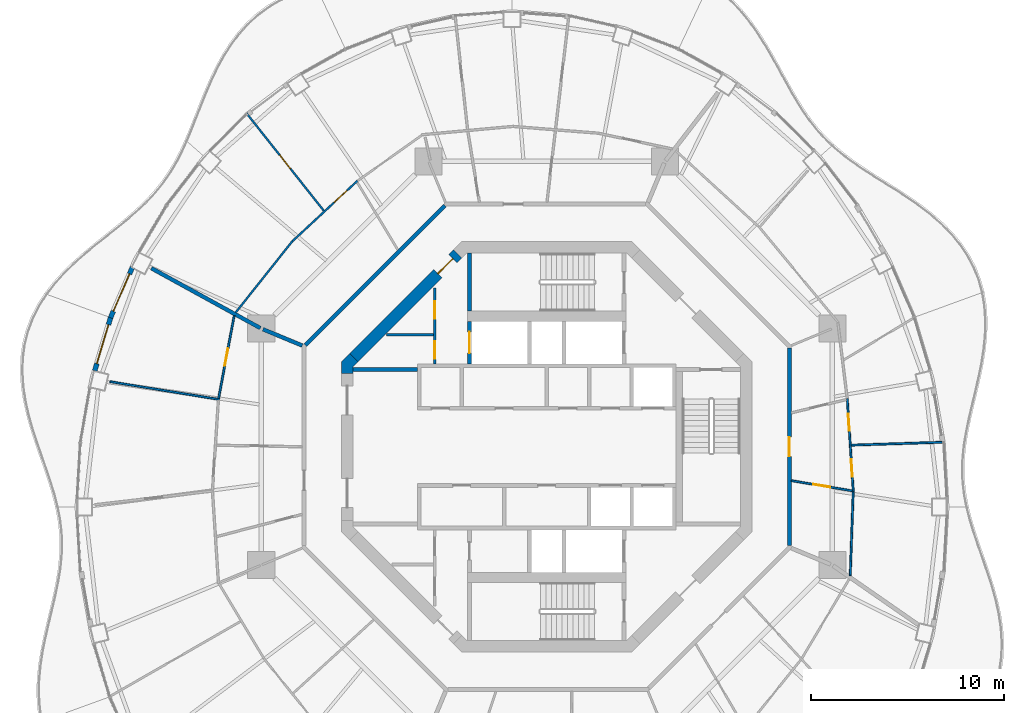
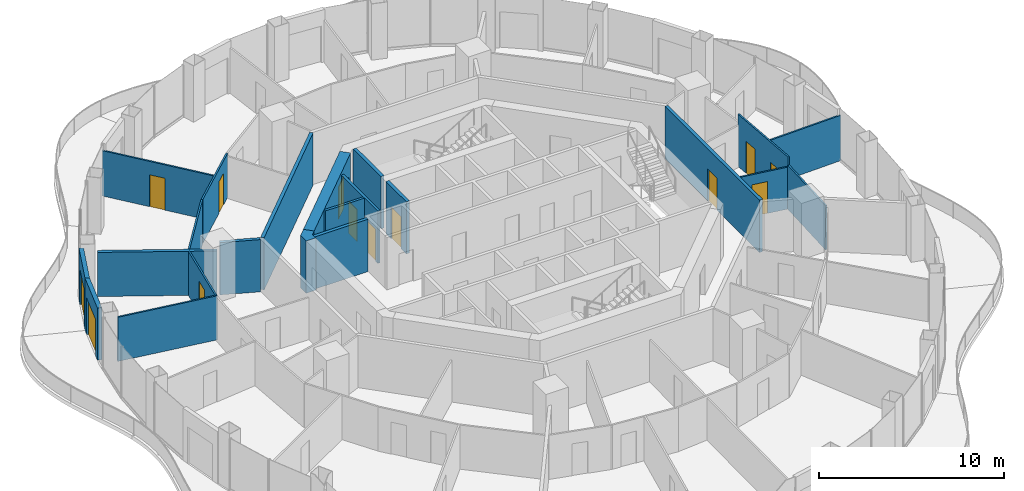
# One storey, part 12 of 17: 22 walls, 13 doors, 13 openings.
"""IFC4 building model written with IfcOpenShell, lengths in metres."""

from ifc_helpers import new_model, si_unit, direction, frame, frame_2d, origin, place, context, subcontext, project, spatial, polyline, rectangle, outline, extrude, material, layer, layer_set, type_object, element, fill, save


model = new_model("IFC4")

# Units and contexts
model_context = context("Model", 3, precision=1e-05, world=origin(), true_north=direction((0.0, 1.0)))
body_context = subcontext(model_context, "Body", "Model", "MODEL_VIEW")
ifc_project = project(units=[si_unit("LENGTHUNIT", "METRE"), si_unit("AREAUNIT", "SQUARE_METRE"), si_unit("VOLUMEUNIT", "CUBIC_METRE"), si_unit("PLANEANGLEUNIT", "RADIAN"), si_unit("MASSUNIT", "GRAM", prefix="KILO")], contexts=[model_context])

# Site, building, storey
site_placement = place(None, origin())
site = spatial("IfcSite", under=ifc_project, at=site_placement, CompositionType="ELEMENT")
building_placement = place(site_placement, origin())
building = spatial("IfcBuilding", under=site, at=building_placement, Name="Nagisa Residences", CompositionType="ELEMENT")
storey_placement = place(building_placement, frame((0.0, 0.0, 265.89990234375)))
storey = spatial("IfcBuildingStorey", under=building, at=storey_placement, Name="L67", CompositionType="ELEMENT", Elevation=265.89990234375)

# Walls
ifc_material_1 = material(Name="Gypsum board on steel studs", Category="steel")
ifc_layer_1 = layer(ifc_material_1, 0.199951171875)
ifc_layer_set_1 = layer_set([ifc_layer_1], Name="Apartment compartment wall EI60 200")
wall_type_1 = type_object("IfcWallType", Name="Apartment compartment wall EI60 200", PredefinedType="PARTITIONING", material=ifc_layer_set_1)
wall_1_placement = place(storey_placement, frame((-12.6572265625, 5.24267578125, 0.0), z_axis=(0.0, 0.0, 1.0), x_axis=(-0.923869415315, 0.382707856524, 0.0)))
element("IfcWall", 1, at=wall_1_placement, inside=storey, type_object=wall_type_1, Name="wall:L67:u02", PredefinedType="PARTITIONING", context=body_context, shape_type="SweptSolid", body=[
    extrude(rectangle(XDim=2.2001953125, YDim=0.199951171875, at=frame_2d((1.10009765625, 0.0))), origin(), (0.0, 0.0, 1.0), 3.440185546875),
])
wall_2_placement = place(storey_placement, frame((-14.825927734375, 6.14697265625, 0.0), z_axis=(0.0, 0.0, 1.0), x_axis=(-0.876484755865, 0.481429613481, 0.0)))
element("IfcWall", 2, at=wall_2_placement, inside=storey, type_object=wall_type_1, Name="wall:L67:u03", PredefinedType="PARTITIONING", context=body_context, shape_type="SweptSolid", body=[
    extrude(rectangle(XDim=6.43896484375, YDim=0.199951171875, at=frame_2d((3.219482421875, 0.0))), origin(), (0.0, 0.0, 1.0), 2.905029296875),
])

# Wall, opening, door
ifc_material_2 = material(Name="Gypsum board on steel studs", Category="steel")
ifc_layer_2 = layer(ifc_material_2, 0.199951171875)
ifc_layer_set_2 = layer_set([ifc_layer_2], Name="Apartment entry wall EI60 200")
wall_type_2 = type_object("IfcWallType", Name="Apartment entry wall EI60 200", PredefinedType="PARTITIONING", material=ifc_layer_set_2)
wall_3_placement = place(storey_placement, frame((12.564697265625, -5.1044921875, 0.0), z_axis=(0.0, 0.0, 1.0), x_axis=(0.0, 1.0, 0.0)))
wall_3 = element("IfcWall", 3, at=wall_3_placement, inside=storey, type_object=wall_type_2, Name="wall:L67:u08", PredefinedType="PARTITIONING", context=body_context, shape_type="SweptSolid", body=[
    extrude(rectangle(XDim=10.208984375, YDim=0.199951171875, at=frame_2d((5.1044921875, 0.0))), origin(), (0.0, 0.0, 1.0), 3.440185546875),
])
opening_1_placement = place(wall_3_placement, frame((4.6044921875, 0.0, 0.0)))
opening_1 = element("IfcOpeningElement", 4, at=opening_1_placement, cuts=wall_3, Name="Opening L67-U01", PredefinedType="OPENING", context=body_context, shape_type="SweptSolid", body=[
    extrude(rectangle(XDim=1.0, YDim=2.10009765625, at=frame_2d((0.5, 1.050048828125))), frame((0.0, 0.10986328125, 0.0), z_axis=(0.0, -1.0, 0.0), x_axis=(1.0, 0.0, 0.0)), (0.0, 0.0, 1.0), 0.219970703125),
])
ifc_material_3 = material(Name="Timber fire door set", Category="wood")
door_type_1 = type_object("IfcDoorType", Name="Apartment entry door FD30S 1000x2100", OperationType="NOTDEFINED", PredefinedType="DOOR", material=ifc_material_3)
door_1_placement = place(opening_1_placement, frame((1.0, 0.0, 0.0), x_axis=(-1.0, 0.0, 0.0)))
door_1 = element("IfcDoor", 5, at=door_1_placement, inside=storey, type_object=door_type_1, Name="Entry door, Apartment 67A", OperationType="SINGLE_SWING_RIGHT", OverallHeight=2.10009765625, OverallWidth=1.0, PredefinedType="DOOR", context=body_context, shape_type="SweptSolid", body=[
    extrude(rectangle(XDim=1.0, YDim=2.10009765625, at=frame_2d((0.5, 1.050048828125))), frame((0.0, 0.02490234375, 0.0), z_axis=(0.0, -1.0, 0.0), x_axis=(1.0, 0.0, 0.0)), (0.0, 0.0, 1.0), 0.050048828125),
])
fill(opening_1, door_1)

# Wall
wall_4_placement = place(storey_placement, frame((-5.275146484375, 12.494140625, 0.0), z_axis=(0.0, 0.0, 1.0), x_axis=(-0.707106781187, -0.707106781187, 0.0)))
element("IfcWall", 6, at=wall_4_placement, inside=storey, type_object=wall_type_2, Name="wall:L67:u11", PredefinedType="PARTITIONING", context=body_context, shape_type="SweptSolid", body=[
    extrude(rectangle(XDim=10.209228515625, YDim=0.199951171875, at=frame_2d((5.1044921875, 0.0))), origin(), (0.0, 0.0, 1.0), 3.440185546875),
])

# Wall, opening, door
ifc_material_4 = material(Name="Gypsum board on steel studs", Category="steel")
ifc_layer_3 = layer(ifc_material_4, 0.10009765625)
ifc_layer_set_3 = layer_set([ifc_layer_3], Name="Apartment partition 100")
wall_type_3 = type_object("IfcWallType", Name="Apartment partition 100", PredefinedType="PARTITIONING", material=ifc_layer_set_3)
wall_5_placement = place(storey_placement, frame((12.663330078125, -1.75146484375, 0.0), z_axis=(0.0, 0.0, 1.0), x_axis=(0.98626156497, -0.165191178529, 0.0)))
wall_5 = element("IfcWall", 7, at=wall_5_placement, inside=storey, type_object=wall_type_3, Name="wall:L67:u16", PredefinedType="PARTITIONING", context=body_context, shape_type="SweptSolid", body=[
    extrude(rectangle(XDim=3.1982421875, YDim=0.10009765625, at=frame_2d((1.59912109375, 0.0))), origin(), (0.0, 0.0, 1.0), 2.76220703125),
])
opening_2_placement = place(wall_5_placement, frame((1.149169921875, 0.0, 0.0)))
opening_2 = element("IfcOpeningElement", 8, at=opening_2_placement, cuts=wall_5, Name="Opening L67-U02", PredefinedType="OPENING", context=body_context, shape_type="SweptSolid", body=[
    extrude(rectangle(XDim=0.89990234375, YDim=2.10009765625, at=frame_2d((0.449951171875, 1.050048828125))), frame((0.0, 0.06005859375, 0.0), z_axis=(0.0, -1.0, 0.0), x_axis=(1.0, 0.0, 0.0)), (0.0, 0.0, 1.0), 0.1201171875),
])
ifc_material_5 = material(Name="Timber door set", Category="wood")
door_type_2 = type_object("IfcDoorType", Name="Apartment door 900x2100", OperationType="NOTDEFINED", PredefinedType="DOOR", material=ifc_material_5)
door_2_placement = place(opening_2_placement, frame((0.89990234375, 0.0, 0.0), x_axis=(-1.0, 0.0, 0.0)))
door_2 = element("IfcDoor", 9, at=door_2_placement, inside=storey, type_object=door_type_2, Name="Door to store, Apartment 67A", OperationType="SINGLE_SWING_LEFT", OverallHeight=2.10009765625, OverallWidth=0.89990234375, PredefinedType="DOOR", context=body_context, shape_type="SweptSolid", body=[
    extrude(rectangle(XDim=0.89990234375, YDim=2.10009765625, at=frame_2d((0.449951171875, 1.050048828125))), frame((0.0, 0.02490234375, 0.0), z_axis=(0.0, -1.0, 0.0), x_axis=(1.0, 0.0, 0.0)), (0.0, 0.0, 1.0), 0.050048828125),
])
fill(opening_2, door_2)

# Wall, openings, doors
wall_6_placement = place(storey_placement, frame((15.8701171875, -2.337890625, 0.0), z_axis=(0.0, 0.0, 1.0), x_axis=(-0.064797294757, 0.997898447034, 0.0)))
wall_6 = element("IfcWall", 10, at=wall_6_placement, inside=storey, type_object=wall_type_3, Name="wall:L67:u17", PredefinedType="PARTITIONING", context=body_context, shape_type="SweptSolid", body=[
    extrude(rectangle(XDim=4.856689453125, YDim=0.10009765625, at=frame_2d((2.42822265625, 0.0))), origin(), (0.0, 0.0, 1.0), 3.440185546875),
])
opening_3_placement = place(wall_6_placement, frame((0.789306640625, 0.0, 0.0)))
opening_3 = element("IfcOpeningElement", 11, at=opening_3_placement, cuts=wall_6, Name="Opening L67-U04", PredefinedType="OPENING", context=body_context, shape_type="SweptSolid", body=[
    extrude(rectangle(XDim=0.89990234375, YDim=2.10009765625, at=frame_2d((0.449951171875, 1.050048828125))), frame((0.0, 0.06005859375, 0.0), z_axis=(0.0, -1.0, 0.0), x_axis=(1.0, 0.0, 0.0)), (0.0, 0.0, 1.0), 0.1201171875),
])
opening_4_placement = place(wall_6_placement, frame((3.16748046875, 0.0, 0.0)))
opening_4 = element("IfcOpeningElement", 12, at=opening_4_placement, cuts=wall_6, Name="Opening L67-U05", PredefinedType="OPENING", context=body_context, shape_type="SweptSolid", body=[
    extrude(rectangle(XDim=0.89990234375, YDim=2.10009765625, at=frame_2d((0.449951171875, 1.050048828125))), frame((0.0, 0.06005859375, 0.0), z_axis=(0.0, -1.0, 0.0), x_axis=(1.0, 0.0, 0.0)), (0.0, 0.0, 1.0), 0.1201171875),
])
door_3_placement = place(opening_3_placement, frame((0.89990234375, 0.0, 0.0), x_axis=(-1.0, 0.0, 0.0)))
door_3 = element("IfcDoor", 13, at=door_3_placement, inside=storey, type_object=door_type_2, Name="Door to master bedroom, Apartment 67A", OperationType="SINGLE_SWING_LEFT", OverallHeight=2.10009765625, OverallWidth=0.89990234375, PredefinedType="DOOR", context=body_context, shape_type="SweptSolid", body=[
    extrude(rectangle(XDim=0.89990234375, YDim=2.10009765625, at=frame_2d((0.449951171875, 1.050048828125))), frame((0.0, 0.02490234375, 0.0), z_axis=(0.0, -1.0, 0.0), x_axis=(1.0, 0.0, 0.0)), (0.0, 0.0, 1.0), 0.050048828125),
])
fill(opening_3, door_3)
door_4_placement = place(opening_4_placement, frame((0.89990234375, 0.0, 0.0), x_axis=(-1.0, 0.0, 0.0)))
door_4 = element("IfcDoor", 14, at=door_4_placement, inside=storey, type_object=door_type_2, Name="Door to bedroom, Apartment 67A", OperationType="SINGLE_SWING_RIGHT", OverallHeight=2.10009765625, OverallWidth=0.89990234375, PredefinedType="DOOR", context=body_context, shape_type="SweptSolid", body=[
    extrude(rectangle(XDim=0.89990234375, YDim=2.10009765625, at=frame_2d((0.449951171875, 1.050048828125))), frame((0.0, 0.02490234375, 0.0), z_axis=(0.0, -1.0, 0.0), x_axis=(1.0, 0.0, 0.0)), (0.0, 0.0, 1.0), 0.050048828125),
])
fill(opening_4, door_4)

# Walls
wall_7_placement = place(storey_placement, frame((15.864990234375, -2.337890625, 0.0), z_axis=(0.0, 0.0, 1.0), x_axis=(-0.035864509465, -0.999356661538, 0.0)))
element("IfcWall", 15, at=wall_7_placement, inside=storey, type_object=wall_type_3, Name="wall:L67:u18", PredefinedType="PARTITIONING", context=body_context, shape_type="SweptSolid", body=[
    extrude(rectangle(XDim=4.329345703125, YDim=0.10009765625, at=frame_2d((2.16455078125, 0.0))), origin(), (0.0, 0.0, 1.0), 2.905029296875),
])
wall_8_placement = place(storey_placement, frame((15.7626953125, 0.0869140625, 0.0), z_axis=(0.0, 0.0, 1.0), x_axis=(0.999492034598, 0.03186962151, 0.0)))
element("IfcWall", 16, at=wall_8_placement, inside=storey, type_object=wall_type_3, Name="wall:L67:u19", PredefinedType="PARTITIONING", context=body_context, shape_type="SweptSolid", body=[
    extrude(rectangle(XDim=4.826171875, YDim=0.10009765625, at=frame_2d((2.4130859375, 0.0))), origin(), (0.0, 0.0, 1.0), 2.983154296875),
])

# Wall, opening, door
wall_9_placement = place(storey_placement, frame((-9.802001953125, 13.770263671875, 0.0), z_axis=(0.0, 0.0, 1.0), x_axis=(-0.732662099478, -0.680592571212, 0.0)))
wall_9 = element("IfcWall", 17, at=wall_9_placement, inside=storey, type_object=wall_type_3, Name="wall:L67:u36", PredefinedType="PARTITIONING", context=body_context, shape_type="SweptSolid", body=[
    extrude(rectangle(XDim=4.56689453125, YDim=0.10009765625, at=frame_2d((2.283447265625, 0.0))), origin(), (0.0, 0.0, 1.0), 2.905029296875),
])
opening_5_placement = place(wall_9_placement, frame((0.74169921875, 0.0, 0.0)))
opening_5 = element("IfcOpeningElement", 18, at=opening_5_placement, cuts=wall_9, Name="Opening L67-U17", PredefinedType="OPENING", context=body_context, shape_type="SweptSolid", body=[
    extrude(rectangle(XDim=0.89990234375, YDim=2.10009765625, at=frame_2d((0.449951171875, 1.050048828125))), frame((0.0, 0.06005859375, 0.0), z_axis=(0.0, -1.0, 0.0), x_axis=(1.0, 0.0, 0.0)), (0.0, 0.0, 1.0), 0.1201171875),
])
door_5_placement = place(opening_5_placement, origin())
door_5 = element("IfcDoor", 19, at=door_5_placement, inside=storey, type_object=door_type_2, Name="Door to laundry, Apartment 67B", OperationType="SINGLE_SWING_LEFT", OverallHeight=2.10009765625, OverallWidth=0.89990234375, PredefinedType="DOOR", context=body_context, shape_type="SweptSolid", body=[
    extrude(rectangle(XDim=0.89990234375, YDim=2.10009765625, at=frame_2d((0.449951171875, 1.050048828125))), frame((0.0, 0.02490234375, 0.0), z_axis=(0.0, -1.0, 0.0), x_axis=(1.0, 0.0, 0.0)), (0.0, 0.0, 1.0), 0.050048828125),
])
fill(opening_5, door_5)

wall_10_placement = place(storey_placement, frame((-11.542724609375, 12.221435546875, 0.0), z_axis=(0.0, 0.0, 1.0), x_axis=(-0.621117202271, 0.783717692185, 0.0)))
wall_10 = element("IfcWall", 20, at=wall_10_placement, inside=storey, type_object=wall_type_3, Name="wall:L67:u37", PredefinedType="PARTITIONING", context=body_context, shape_type="SweptSolid", body=[
    extrude(rectangle(XDim=6.4443359375, YDim=0.10009765625, at=frame_2d((3.22216796875, 0.0))), origin(), (0.0, 0.0, 1.0), 2.983154296875),
])
opening_6_placement = place(wall_10_placement, frame((2.772216796875, 0.0, 0.0)))
opening_6 = element("IfcOpeningElement", 21, at=opening_6_placement, cuts=wall_10, Name="Opening L67-U15", PredefinedType="OPENING", context=body_context, shape_type="SweptSolid", body=[
    extrude(rectangle(XDim=0.89990234375, YDim=2.10009765625, at=frame_2d((0.449951171875, 1.050048828125))), frame((0.0, 0.06005859375, 0.0), z_axis=(0.0, -1.0, 0.0), x_axis=(1.0, 0.0, 0.0)), (0.0, 0.0, 1.0), 0.1201171875),
])
door_6_placement = place(opening_6_placement, origin())
door_6 = element("IfcDoor", 22, at=door_6_placement, inside=storey, type_object=door_type_2, Name="Door to master bedroom, Apartment 67B", OperationType="SINGLE_SWING_LEFT", OverallHeight=2.10009765625, OverallWidth=0.89990234375, PredefinedType="DOOR", context=body_context, shape_type="SweptSolid", body=[
    extrude(rectangle(XDim=0.89990234375, YDim=2.10009765625, at=frame_2d((0.449951171875, 1.050048828125))), frame((0.0, 0.02490234375, 0.0), z_axis=(0.0, -1.0, 0.0), x_axis=(1.0, 0.0, 0.0)), (0.0, 0.0, 1.0), 0.050048828125),
])
fill(opening_6, door_6)

# Wall
wall_11_placement = place(storey_placement, frame((-13.153564453125, 10.667236328125, 0.0), z_axis=(0.0, 0.0, 1.0), x_axis=(-0.622246555556, -0.782821323227, 0.0)))
element("IfcWall", 23, at=wall_11_placement, inside=storey, type_object=wall_type_3, Name="wall:L67:u38", PredefinedType="PARTITIONING", context=body_context, shape_type="SweptSolid", body=[
    extrude(rectangle(XDim=4.736083984375, YDim=0.10009765625, at=frame_2d((2.3681640625, 0.0))), origin(), (0.0, 0.0, 1.0), 2.905029296875),
])

# Wall, opening, door
wall_12_placement = place(storey_placement, frame((-16.181396484375, 6.783203125, 0.0), z_axis=(0.0, 0.0, 1.0), x_axis=(-0.185670583745, -0.982612046706, 0.0)))
wall_12 = element("IfcWall", 24, at=wall_12_placement, inside=storey, type_object=wall_type_3, Name="wall:L67:u39", PredefinedType="PARTITIONING", context=body_context, shape_type="SweptSolid", body=[
    extrude(rectangle(XDim=4.35107421875, YDim=0.10009765625, at=frame_2d((2.175537109375, 0.0))), origin(), (0.0, 0.0, 1.0), 2.905029296875),
])
opening_7_placement = place(wall_12_placement, frame((1.7255859375, 0.0, 0.0)))
opening_7 = element("IfcOpeningElement", 25, at=opening_7_placement, cuts=wall_12, Name="Opening L67-U21", PredefinedType="OPENING", context=body_context, shape_type="SweptSolid", body=[
    extrude(rectangle(XDim=0.89990234375, YDim=2.10009765625, at=frame_2d((0.449951171875, 1.050048828125))), frame((0.0, 0.06005859375, 0.0), z_axis=(0.0, -1.0, 0.0), x_axis=(1.0, 0.0, 0.0)), (0.0, 0.0, 1.0), 0.1201171875),
])
door_7_placement = place(opening_7_placement, frame((0.89990234375, 0.0, 0.0), x_axis=(-1.0, 0.0, 0.0)))
door_7 = element("IfcDoor", 26, at=door_7_placement, inside=storey, type_object=door_type_2, Name="Door to bedroom, Apartment 67C", OperationType="SINGLE_SWING_RIGHT", OverallHeight=2.10009765625, OverallWidth=0.89990234375, PredefinedType="DOOR", context=body_context, shape_type="SweptSolid", body=[
    extrude(rectangle(XDim=0.89990234375, YDim=2.10009765625, at=frame_2d((0.449951171875, 1.050048828125))), frame((0.0, 0.02490234375, 0.0), z_axis=(0.0, -1.0, 0.0), x_axis=(1.0, 0.0, 0.0)), (0.0, 0.0, 1.0), 0.050048828125),
])
fill(opening_7, door_7)

# Wall
wall_13_placement = place(storey_placement, frame((-16.94921875, 2.45068359375, 0.0), z_axis=(0.0, 0.0, 1.0), x_axis=(-0.986937570833, 0.161103169673, 0.0)))
element("IfcWall", 27, at=wall_13_placement, inside=storey, type_object=wall_type_3, Name="wall:L67:u40", PredefinedType="PARTITIONING", context=body_context, shape_type="SweptSolid", body=[
    extrude(rectangle(XDim=5.743408203125, YDim=0.10009765625, at=frame_2d((2.87158203125, 0.0))), origin(), (0.0, 0.0, 1.0), 2.905029296875),
])

# Wall, opening, door
ifc_material_6 = material(Name="Precast concrete C40/50", Category="concrete")
ifc_layer_4 = layer(ifc_material_6, 0.25)
ifc_layer_set_4 = layer_set([ifc_layer_4], Name="BALCONY DOOR WALL 250")
wall_type_4 = type_object("IfcWallType", Name="BALCONY DOOR WALL 250", PredefinedType="SOLIDWALL", material=ifc_layer_set_4)
wall_14_placement = place(storey_placement, frame((-22.58349609375, 6.682861328125, 0.0), z_axis=(0.0, 0.0, 1.0), x_axis=(0.397597791596, 0.9175598052, 0.0)))
wall_14 = element("IfcWall", 28, at=wall_14_placement, inside=storey, type_object=wall_type_4, Name="wall:L67:bay20", PredefinedType="SOLIDWALL", context=body_context, shape_type="SweptSolid", body=[
    extrude(rectangle(XDim=2.841064453125, YDim=0.25, at=frame_2d((1.42041015625, 0.0))), origin(), (0.0, 0.0, 1.0), 3.440185546875),
])
opening_8_placement = place(wall_14_placement, frame((0.37060546875, 0.0, 0.0)))
opening_8 = element("IfcOpeningElement", 29, at=opening_8_placement, cuts=wall_14, Name="Opening BD-L67-07", PredefinedType="OPENING", context=body_context, shape_type="SweptSolid", body=[
    extrude(rectangle(XDim=2.10009765625, YDim=2.39990234375, at=frame_2d((1.050048828125, 1.199951171875))), frame((0.0, 0.135009765625, 0.0), z_axis=(0.0, -1.0, 0.0), x_axis=(1.0, 0.0, 0.0)), (0.0, 0.0, 1.0), 0.27001953125),
])
ifc_material_7 = material(Name="Aluminium and clear glass", Category="aluminium")
door_type_3 = type_object("IfcDoorType", Name="BALCONY SLIDING DOOR 2100x2400", OperationType="SLIDING_TO_LEFT", PredefinedType="DOOR", material=ifc_material_7)
door_8_placement = place(opening_8_placement, origin())
door_8 = element("IfcDoor", 30, at=door_8_placement, inside=storey, type_object=door_type_3, Name="door:L67:bay20", OperationType="SLIDING_TO_LEFT", OverallHeight=2.39990234375, OverallWidth=2.10009765625, PredefinedType="DOOR", context=body_context, shape_type="SweptSolid", body=[
    extrude(rectangle(XDim=2.10009765625, YDim=2.39990234375, at=frame_2d((1.050048828125, 1.199951171875))), frame((0.0, 0.02490234375, 0.0), z_axis=(0.0, -1.0, 0.0), x_axis=(1.0, 0.0, 0.0)), (0.0, 0.0, 1.0), 0.050048828125),
])
fill(opening_8, door_8)

wall_15_placement = place(storey_placement, frame((-23.40087890625, 3.939697265625, 0.0), z_axis=(0.0, 0.0, 1.0), x_axis=(0.285876209024, 0.9582665564, 0.0)))
wall_15 = element("IfcWall", 31, at=wall_15_placement, inside=storey, type_object=wall_type_4, Name="wall:L67:bay21", PredefinedType="SOLIDWALL", context=body_context, shape_type="SweptSolid", body=[
    extrude(rectangle(XDim=2.877197265625, YDim=0.25, at=frame_2d((1.4384765625, 0.0))), origin(), (0.0, 0.0, 1.0), 3.440185546875),
])
opening_9_placement = place(wall_15_placement, frame((0.388671875, 0.0, 0.0)))
opening_9 = element("IfcOpeningElement", 32, at=opening_9_placement, cuts=wall_15, Name="Opening BD-L67-08", PredefinedType="OPENING", context=body_context, shape_type="SweptSolid", body=[
    extrude(rectangle(XDim=2.10009765625, YDim=2.39990234375, at=frame_2d((1.050048828125, 1.199951171875))), frame((0.0, 0.135009765625, 0.0), z_axis=(0.0, -1.0, 0.0), x_axis=(1.0, 0.0, 0.0)), (0.0, 0.0, 1.0), 0.27001953125),
])
door_9_placement = place(opening_9_placement, origin())
door_9 = element("IfcDoor", 33, at=door_9_placement, inside=storey, type_object=door_type_3, Name="door:L67:bay21", OperationType="SLIDING_TO_LEFT", OverallHeight=2.39990234375, OverallWidth=2.10009765625, PredefinedType="DOOR", context=body_context, shape_type="SweptSolid", body=[
    extrude(rectangle(XDim=2.10009765625, YDim=2.39990234375, at=frame_2d((1.050048828125, 1.199951171875))), frame((0.0, 0.02490234375, 0.0), z_axis=(0.0, -1.0, 0.0), x_axis=(1.0, 0.0, 0.0)), (0.0, 0.0, 1.0), 0.050048828125),
])
fill(opening_9, door_9)

# Wall, openings, doors
ifc_material_8 = material(Name="Gypsum board on steel studs", Category="steel")
ifc_layer_5 = layer(ifc_material_8, 0.14990234375)
ifc_layer_set_5 = layer_set([ifc_layer_5], Name="Core partition 150")
wall_type_5 = type_object("IfcWallType", Name="Core partition 150", PredefinedType="PARTITIONING", material=ifc_layer_set_5)
wall_16_placement = place(storey_placement, frame((-5.800048828125, 4.300048828125, 0.0), z_axis=(0.0, 0.0, 1.0), x_axis=(0.0, 1.0, 0.0)))
wall_16 = element("IfcWall", 34, at=wall_16_placement, inside=storey, type_object=wall_type_5, Name="wall:L67:NWp", PredefinedType="PARTITIONING", context=body_context, shape_type="SweptSolid", body=[
    extrude(rectangle(XDim=3.927001953125, YDim=0.14990234375, at=frame_2d((1.96337890625, 0.0))), origin(), (0.0, 0.0, 1.0), 3.440185546875),
])
opening_10_placement = place(wall_16_placement, frame((0.262451171875, 0.0, 0.0)))
opening_10 = element("IfcOpeningElement", 35, at=opening_10_placement, cuts=wall_16, Name="Opening L67-C10", PredefinedType="OPENING", context=body_context, shape_type="SweptSolid", body=[
    extrude(rectangle(XDim=0.89990234375, YDim=2.10009765625, at=frame_2d((0.449951171875, 1.050048828125))), frame((0.0, 0.0849609375, 0.0), z_axis=(0.0, -1.0, 0.0), x_axis=(1.0, 0.0, 0.0)), (0.0, 0.0, 1.0), 0.169921875),
])
opening_11_placement = place(wall_16_placement, frame((2.33837890625, 0.0, 0.0)))
opening_11 = element("IfcOpeningElement", 36, at=opening_11_placement, cuts=wall_16, Name="Opening L67-C11", PredefinedType="OPENING", context=body_context, shape_type="SweptSolid", body=[
    extrude(rectangle(XDim=0.89990234375, YDim=2.10009765625, at=frame_2d((0.449951171875, 1.050048828125))), frame((0.0, 0.0849609375, 0.0), z_axis=(0.0, -1.0, 0.0), x_axis=(1.0, 0.0, 0.0)), (0.0, 0.0, 1.0), 0.169921875),
])
ifc_material_9 = material(Name="Steel fire door", Category="steel")
door_type_4 = type_object("IfcDoorType", Name="Fire door EI30 900x2100 single swing", OperationType="NOTDEFINED", PredefinedType="DOOR", material=ifc_material_9)
door_10_placement = place(opening_10_placement, origin())
door_10 = element("IfcDoor", 37, at=door_10_placement, inside=storey, type_object=door_type_4, Name="Hose reel room door L67", OperationType="SINGLE_SWING_RIGHT", OverallHeight=2.10009765625, OverallWidth=0.89990234375, PredefinedType="DOOR", context=body_context, shape_type="SweptSolid", body=[
    extrude(rectangle(XDim=0.89990234375, YDim=2.10009765625, at=frame_2d((0.449951171875, 1.050048828125))), frame((0.0, 0.02490234375, 0.0), z_axis=(0.0, -1.0, 0.0), x_axis=(1.0, 0.0, 0.0)), (0.0, 0.0, 1.0), 0.050048828125),
])
fill(opening_10, door_10)
door_11_placement = place(opening_11_placement, origin())
door_11 = element("IfcDoor", 38, at=door_11_placement, inside=storey, type_object=door_type_4, Name="Cleaner store door L67", OperationType="SINGLE_SWING_RIGHT", OverallHeight=2.10009765625, OverallWidth=0.89990234375, PredefinedType="DOOR", context=body_context, shape_type="SweptSolid", body=[
    extrude(rectangle(XDim=0.89990234375, YDim=2.10009765625, at=frame_2d((0.449951171875, 1.050048828125))), frame((0.0, 0.02490234375, 0.0), z_axis=(0.0, -1.0, 0.0), x_axis=(1.0, 0.0, 0.0)), (0.0, 0.0, 1.0), 0.050048828125),
])
fill(opening_11, door_11)

# Walls
wall_17_placement = place(storey_placement, frame((-8.301025390625, 5.800048828125, 0.0), z_axis=(0.0, 0.0, 1.0), x_axis=(1.0, 0.0, 0.0)))
element("IfcWall", 39, at=wall_17_placement, inside=storey, type_object=wall_type_5, Name="wall:L67:NWq", PredefinedType="PARTITIONING", context=body_context, shape_type="SweptSolid", body=[
    extrude(rectangle(XDim=2.426025390625, YDim=0.14990234375, at=frame_2d((1.212890625, 0.0))), origin(), (0.0, 0.0, 1.0), 3.440185546875),
])
ifc_material_10 = material(Name="Gypsum board on steel studs", Category="steel")
ifc_layer_6 = layer(ifc_material_10, 0.199951171875)
ifc_layer_set_6 = layer_set([ifc_layer_6], Name="Core partition 200")
wall_type_6 = type_object("IfcWallType", Name="Core partition 200", PredefinedType="PARTITIONING", material=ifc_layer_set_6)
wall_18_placement = place(storey_placement, frame((-10.024658203125, 4.0, 0.0), z_axis=(0.0, 0.0, 1.0), x_axis=(1.0, 0.0, 0.0)))
element("IfcWall", 40, at=wall_18_placement, inside=storey, type_object=wall_type_6, Name="wall:L67:PNW", PredefinedType="PARTITIONING", context=body_context, shape_type="SweptSolid", body=[
    extrude(rectangle(XDim=3.32470703125, YDim=0.199951171875, at=frame_2d((1.662353515625, 0.0))), origin(), (0.0, 0.0, 1.0), 3.440185546875),
])

# Wall, opening, door
ifc_material_11 = material(Name="Concrete C60", Category="concrete")
ifc_layer_7 = layer(ifc_material_11, 0.60009765625)
ifc_layer_set_7 = layer_set([ifc_layer_7], Name="Core shear wall 600")
wall_type_7 = type_object("IfcWallType", Name="Core shear wall 600", PredefinedType="SHEAR", material=ifc_layer_set_7)
wall_19_placement = place(storey_placement, frame((-4.613037109375, 9.98828125, 0.0), z_axis=(0.0, 0.0, 1.0), x_axis=(-0.707106781187, -0.707106781187, 0.0)))
wall_19 = element("IfcWall", 41, at=wall_19_placement, inside=storey, type_object=wall_type_7, Name="wall:L67:core:flat3", PredefinedType="SHEAR", context=body_context, shape_type="SweptSolid", body=[
    extrude(rectangle(XDim=7.601806640625, YDim=0.60009765625, at=frame_2d((3.80078125, 0.0))), origin(), (0.0, 0.0, 1.0), 3.440185546875),
])
opening_12_placement = place(wall_19_placement, frame((0.350830078125, 0.0, 0.0)))
opening_12 = element("IfcOpeningElement", 42, at=opening_12_placement, cuts=wall_19, Name="Opening L67-C25", PredefinedType="OPENING", context=body_context, shape_type="SweptSolid", body=[
    extrude(rectangle(XDim=1.10009765625, YDim=2.10009765625, at=frame_2d((0.550048828125, 1.050048828125))), frame((0.0, 0.31005859375, 0.0), z_axis=(0.0, -1.0, 0.0), x_axis=(1.0, 0.0, 0.0)), (0.0, 0.0, 1.0), 0.6201171875),
])
ifc_material_12 = material(Name="Steel fire door", Category="steel")
door_type_5 = type_object("IfcDoorType", Name="Fire door EI60 1100x2100 single swing", OperationType="NOTDEFINED", PredefinedType="DOOR", material=ifc_material_12)
door_12_placement = place(opening_12_placement, origin())
door_12 = element("IfcDoor", 43, at=door_12_placement, inside=storey, type_object=door_type_5, Name="Service lobby door L67", OperationType="SINGLE_SWING_RIGHT", OverallHeight=2.10009765625, OverallWidth=1.10009765625, PredefinedType="DOOR", context=body_context, shape_type="SweptSolid", body=[
    extrude(rectangle(XDim=1.10009765625, YDim=2.10009765625, at=frame_2d((0.550048828125, 1.050048828125))), frame((0.0, 0.02490234375, 0.0), z_axis=(0.0, -1.0, 0.0), x_axis=(1.0, 0.0, 0.0)), (0.0, 0.0, 1.0), 0.050048828125),
])
fill(opening_12, door_12)

# Wall
wall_20_placement = place(storey_placement, origin())
element("IfcWall", 44, at=wall_20_placement, inside=storey, type_object=wall_type_7, Name="wall:L67:core:pier3", PredefinedType="SHEAR", context=body_context, shape_type="SweptSolid", body=[
    extrude(outline(polyline([(-10.200439453125, 4.8251953125), (-9.776123046875, 4.40087890625), (-10.024658203125, 4.15234375), (-10.024658203125, 3.80078125), (-10.62451171875, 3.80078125), (-10.62451171875, 4.40087890625), (-10.200439453125, 4.8251953125)])), origin(), (0.0, 0.0, 1.0), 3.440185546875),
])

# Wall, opening, door
ifc_material_13 = material(Name="Concrete C60", Category="concrete")
ifc_layer_8 = layer(ifc_material_13, 0.199951171875)
ifc_layer_set_8 = layer_set([ifc_layer_8], Name="Lift shaft wall 200")
wall_type_8 = type_object("IfcWallType", Name="Lift shaft wall 200", PredefinedType="SOLIDWALL", material=ifc_layer_set_8)
wall_21_placement = place(storey_placement, frame((-4.0, 4.300048828125, 0.0), z_axis=(0.0, 0.0, 1.0), x_axis=(0.0, 1.0, 0.0)))
wall_21 = element("IfcWall", 45, at=wall_21_placement, inside=storey, type_object=wall_type_8, Name="wall:L67:Nb4", PredefinedType="SOLIDWALL", context=body_context, shape_type="SweptSolid", body=[
    extrude(rectangle(XDim=2.199951171875, YDim=0.199951171875, at=frame_2d((1.10009765625, 0.0))), origin(), (0.0, 0.0, 1.0), 3.440185546875),
])
opening_13_placement = place(wall_21_placement, frame((0.550048828125, 0.0, 0.0)))
opening_13 = element("IfcOpeningElement", 46, at=opening_13_placement, cuts=wall_21, Name="Opening L67-C06", PredefinedType="OPENING", context=body_context, shape_type="SweptSolid", body=[
    extrude(rectangle(XDim=1.10009765625, YDim=2.10009765625, at=frame_2d((0.550048828125, 1.050048828125))), frame((0.0, 0.10986328125, 0.0), z_axis=(0.0, -1.0, 0.0), x_axis=(1.0, 0.0, 0.0)), (0.0, 0.0, 1.0), 0.219970703125),
])
ifc_material_14 = material(Name="Stainless steel", Category="steel")
door_type_6 = type_object("IfcDoorType", Name="Lift landing door 1100x2100", OperationType="DOUBLE_DOOR_SLIDING", PredefinedType="DOOR", material=ifc_material_14)
door_13_placement = place(opening_13_placement, origin())
door_13 = element("IfcDoor", 47, at=door_13_placement, inside=storey, type_object=door_type_6, Name="Landing door SV L67", OperationType="DOUBLE_DOOR_SLIDING", OverallHeight=2.10009765625, OverallWidth=1.10009765625, PredefinedType="DOOR", context=body_context, shape_type="SweptSolid", body=[
    extrude(rectangle(XDim=1.10009765625, YDim=2.10009765625, at=frame_2d((0.550048828125, 1.050048828125))), frame((0.0, 0.02490234375, 0.0), z_axis=(0.0, -1.0, 0.0), x_axis=(1.0, 0.0, 0.0)), (0.0, 0.0, 1.0), 0.050048828125),
])
fill(opening_13, door_13)

# Wall
ifc_material_15 = material(Name="Concrete C60", Category="concrete")
ifc_layer_9 = layer(ifc_material_15, 0.199951171875)
ifc_layer_set_9 = layer_set([ifc_layer_9], Name="Stair enclosure wall 200")
wall_type_9 = type_object("IfcWallType", Name="Stair enclosure wall 200", PredefinedType="SOLIDWALL", material=ifc_layer_set_9)
wall_22_placement = place(storey_placement, origin())
element("IfcWall", 48, at=wall_22_placement, inside=storey, type_object=wall_type_9, Name="wall:L67:SN_w", PredefinedType="SOLIDWALL", context=body_context, shape_type="SweptSolid", body=[
    extrude(outline(polyline([(-3.89990234375, 7.024658203125), (-4.10009765625, 7.024658203125), (-4.10009765625, 10.024658203125), (-3.89990234375, 10.024658203125), (-3.89990234375, 7.024658203125)])), origin(), (0.0, 0.0, 1.0), 3.440185546875),
])

save(model, "model.ifc")
